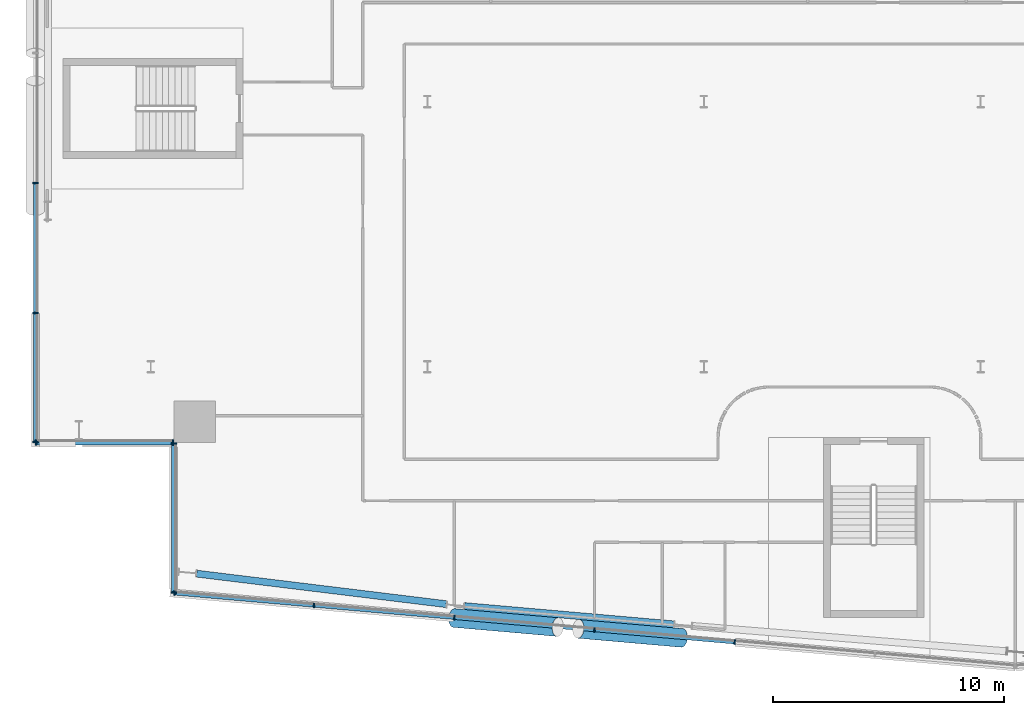
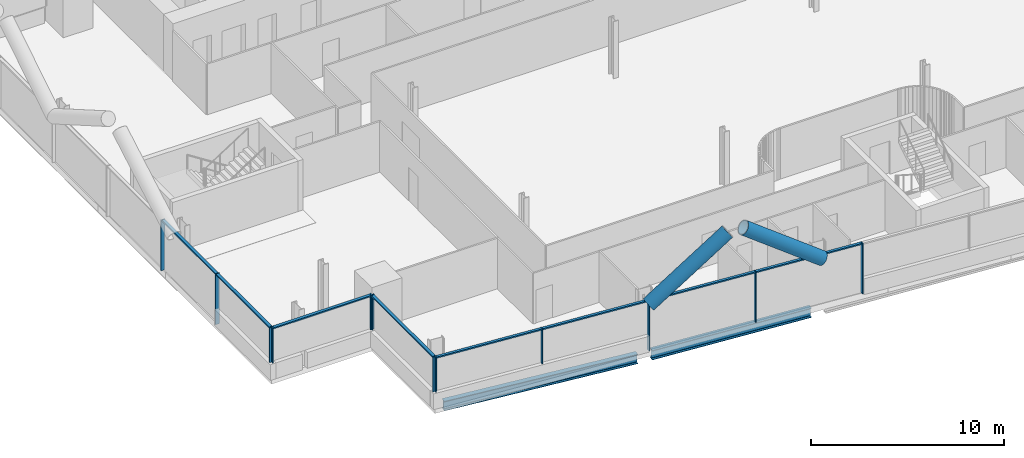
# One storey, part 5 of 30: 22 members, 2 beams, 4 elements without a shape of their own.
"""IFC4 building model written with IfcOpenShell, lengths in metres."""

from ifc_helpers import new_model, si_unit, direction, frame, origin, origin_2d, place, context, subcontext, project, spatial, rectangle, hollow_circle, i_section, extrude, material, material_profile, profile_set, type_object, element, aggregate, save


model = new_model("IFC4")

# Units and contexts
model_context = context("Model", 3, precision=1e-05, world=origin(), true_north=direction((0.0, 1.0)))
body_context = subcontext(model_context, "Body", "Model", "MODEL_VIEW")
ifc_project = project(units=[si_unit("LENGTHUNIT", "METRE"), si_unit("AREAUNIT", "SQUARE_METRE"), si_unit("VOLUMEUNIT", "CUBIC_METRE"), si_unit("PLANEANGLEUNIT", "RADIAN"), si_unit("MASSUNIT", "GRAM", prefix="KILO")], contexts=[model_context])

# Site, building, storey
site_placement = place(None, origin())
site = spatial("IfcSite", under=ifc_project, at=site_placement, CompositionType="ELEMENT")
building_placement = place(site_placement, origin())
building = spatial("IfcBuilding", under=site, at=building_placement, Name="Wharfspan Tower", CompositionType="ELEMENT")
storey_placement = place(building_placement, frame((0.0, 0.0, 100.300049)))
storey = spatial("IfcBuildingStorey", under=building, at=storey_placement, Name="L22", CompositionType="ELEMENT", Elevation=100.300049)

# Beams
ifc_material_1 = material(Name="Steel S355J2", Category="steel")
ifc_material_profile_1 = material_profile(ifc_material_1, i_section(OverallWidth=0.300049, OverallDepth=0.600098, WebThickness=0.015381, FlangeThickness=0.030029, FilletRadius=0.0271, at=origin_2d()))
ifc_profile_set_1 = profile_set([ifc_material_profile_1], Name="Steel S355J2")
beam_type = type_object("IfcBeamType", Name="Edge beam HEB 600", PredefinedType="SPANDREL", material=ifc_profile_set_1)
beam_1_placement = place(storey_placement, frame((13.990967, 2.520508, -0.699951), z_axis=(0.992611, -0.121342, 0.0), x_axis=(0.121342, 0.992611, 0.0)))
element("IfcBeam", 1, at=beam_1_placement, inside=storey, type_object=beam_type, Name="Edge beam S1 L22 PS1.1 to PS1.2", PredefinedType="SPANDREL", context=body_context, shape_type="SweptSolid", body=[
    extrude(i_section(OverallWidth=0.300049, OverallDepth=0.600098, WebThickness=0.015381, FlangeThickness=0.030029, FilletRadius=0.0271, at=origin_2d()), origin(), (0.0, 0.0, 1.0), 10.903076),
])
beam_2_placement = place(storey_placement, frame((25.615234, 1.113525, -0.699951), z_axis=(0.996195, -0.087151, 0.0), x_axis=(0.087151, 0.996195, 0.0)))
element("IfcBeam", 2, at=beam_2_placement, inside=storey, type_object=beam_type, Name="Edge beam S1 L22 PS1.2 to PS1.3", PredefinedType="SPANDREL", context=body_context, shape_type="SweptSolid", body=[
    extrude(i_section(OverallWidth=0.300049, OverallDepth=0.600098, WebThickness=0.015381, FlangeThickness=0.030029, FilletRadius=0.0271, at=origin_2d()), origin(), (0.0, 0.0, 1.0), 9.107178),
])

# Curtain wall, members
ifc_material_2 = material(Name="Aluminium 6063-T6", Category="aluminium")
curtain_wall_type_1 = type_object("IfcCurtainWallType", Name="CURTAIN WALL FACETED FRONT", PredefinedType="NOTDEFINED", material=ifc_material_2)
curtain_wall_1_placement = place(storey_placement, origin())
curtain_wall_1 = element("IfcCurtainWall", 3, at=curtain_wall_1_placement, inside=storey, type_object=curtain_wall_type_1, Name="Curtain wall S1", PredefinedType="NOTDEFINED")
ifc_material_profile_2 = material_profile(ifc_material_2, rectangle(XDim=0.199951, YDim=0.060059, at=origin_2d()))
ifc_profile_set_2 = profile_set([ifc_material_profile_2], Name="Aluminium 6063-T6")
member_type_1 = type_object("IfcMemberType", Name="MULLION FACETED FRONT 60x200", PredefinedType="MULLION", material=ifc_profile_set_2)
member_1_placement = place(storey_placement, frame((13.029785, 1.672363, 1.0), z_axis=(0.0, 0.0, 1.0), x_axis=(0.087156, 0.996198, 0.0)))
member_1 = element("IfcMember", 4, at=member_1_placement, type_object=member_type_1, Name="Curtain wall S1 mullion 1", PredefinedType="MULLION", context=body_context, shape_type="SweptSolid", body=[
    extrude(rectangle(XDim=0.199951, YDim=0.060059, at=origin_2d()), origin(), (0.0, 0.0, 1.0), 2.199951),
])
member_2_placement = place(storey_placement, frame((19.083252, 1.142822, 1.0), z_axis=(0.0, 0.0, 1.0), x_axis=(0.087156, 0.996198, 0.0)))
member_2 = element("IfcMember", 5, at=member_2_placement, type_object=member_type_1, Name="Curtain wall S1 mullion 2", PredefinedType="MULLION", context=body_context, shape_type="SweptSolid", body=[
    extrude(rectangle(XDim=0.199951, YDim=0.060059, at=origin_2d()), origin(), (0.0, 0.0, 1.0), 2.199951),
])
member_3_placement = place(storey_placement, frame((25.166748, 0.610596, 0.0), z_axis=(0.0, 0.0, 1.0), x_axis=(0.087156, 0.996198, 0.0)))
member_3 = element("IfcMember", 6, at=member_3_placement, type_object=member_type_1, Name="Curtain wall S1 mullion 3", PredefinedType="MULLION", context=body_context, shape_type="SweptSolid", body=[
    extrude(rectangle(XDim=0.199951, YDim=0.060059, at=origin_2d()), origin(), (0.0, 0.0, 1.0), 3.199951),
])
member_4_placement = place(storey_placement, frame((31.25, 0.078369, 0.0), z_axis=(0.0, 0.0, 1.0), x_axis=(0.087156, 0.996198, 0.0)))
member_4 = element("IfcMember", 7, at=member_4_placement, type_object=member_type_1, Name="Curtain wall S1 mullion 4", PredefinedType="MULLION", context=body_context, shape_type="SweptSolid", body=[
    extrude(rectangle(XDim=0.199951, YDim=0.060059, at=origin_2d()), origin(), (0.0, 0.0, 1.0), 3.199951),
])
member_5_placement = place(storey_placement, frame((37.333252, -0.453857, 0.0), z_axis=(0.0, 0.0, 1.0), x_axis=(0.087156, 0.996198, 0.0)))
member_5 = element("IfcMember", 8, at=member_5_placement, type_object=member_type_1, Name="Curtain wall S1 mullion 5", PredefinedType="MULLION", context=body_context, shape_type="SweptSolid", body=[
    extrude(rectangle(XDim=0.199951, YDim=0.060059, at=origin_2d()), origin(), (0.0, 0.0, 1.0), 3.199951),
])

curtain_wall_type_2 = type_object("IfcCurtainWallType", Name="CURTAIN WALL PROW AND END", PredefinedType="NOTDEFINED", material=ifc_material_2)
curtain_wall_2_placement = place(storey_placement, origin())
curtain_wall_2 = element("IfcCurtainWall", 9, at=curtain_wall_2_placement, inside=storey, type_object=curtain_wall_type_2, Name="Curtain wall W", PredefinedType="NOTDEFINED")
ifc_material_profile_3 = material_profile(ifc_material_2, rectangle(XDim=0.23999, YDim=0.060059, at=origin_2d()))
ifc_profile_set_3 = profile_set([ifc_material_profile_3], Name="Aluminium 6063-T6")
member_type_2 = type_object("IfcMemberType", Name="MULLION PROW AND END 60x240", PredefinedType="MULLION", material=ifc_profile_set_3)
member_6_placement = place(storey_placement, frame((7.0, 19.466553, 0.0), z_axis=(0.0, 0.0, 1.0), x_axis=(1.0, 0.0, 0.0)))
member_6 = element("IfcMember", 10, at=member_6_placement, type_object=member_type_2, Name="Curtain wall W mullion 5", PredefinedType="MULLION", context=body_context, shape_type="SweptSolid", body=[
    extrude(rectangle(XDim=0.23999, YDim=0.060059, at=origin_2d()), origin(), (0.0, 0.0, 1.0), 3.199951),
])
member_7_placement = place(storey_placement, frame((7.0, 13.833252, 0.0), z_axis=(0.0, 0.0, 1.0), x_axis=(1.0, 0.0, 0.0)))
member_7 = element("IfcMember", 11, at=member_7_placement, type_object=member_type_2, Name="Curtain wall W mullion 6", PredefinedType="MULLION", context=body_context, shape_type="SweptSolid", body=[
    extrude(rectangle(XDim=0.23999, YDim=0.060059, at=origin_2d()), origin(), (0.0, 0.0, 1.0), 3.199951),
])
member_8_placement = place(storey_placement, frame((7.0, 8.22998, 1.0), z_axis=(0.0, 0.0, 1.0), x_axis=(1.0, 0.0, 0.0)))
member_8 = element("IfcMember", 12, at=member_8_placement, type_object=member_type_2, Name="Curtain wall W mullion 7", PredefinedType="MULLION", context=body_context, shape_type="SweptSolid", body=[
    extrude(rectangle(XDim=0.23999, YDim=0.060059, at=origin_2d()), origin(), (0.0, 0.0, 1.0), 2.199951),
])

curtain_wall_3_placement = place(storey_placement, origin())
curtain_wall_3 = element("IfcCurtainWall", 13, at=curtain_wall_3_placement, inside=storey, type_object=curtain_wall_type_2, Name="Curtain wall NFW-H", PredefinedType="NOTDEFINED")
member_9_placement = place(storey_placement, frame((7.030029, 8.199951, 1.0), z_axis=(0.0, 0.0, 1.0), x_axis=(0.0, 1.0, 0.0)))
member_9 = element("IfcMember", 14, at=member_9_placement, type_object=member_type_2, Name="Curtain wall NFW-H mullion 1", PredefinedType="MULLION", context=body_context, shape_type="SweptSolid", body=[
    extrude(rectangle(XDim=0.23999, YDim=0.060059, at=origin_2d()), origin(), (0.0, 0.0, 1.0), 2.199951),
])
member_10_placement = place(storey_placement, frame((12.969971, 8.199951, 1.0), z_axis=(0.0, 0.0, 1.0), x_axis=(0.0, 1.0, 0.0)))
member_10 = element("IfcMember", 15, at=member_10_placement, type_object=member_type_2, Name="Curtain wall NFW-H mullion 2", PredefinedType="MULLION", context=body_context, shape_type="SweptSolid", body=[
    extrude(rectangle(XDim=0.23999, YDim=0.060059, at=origin_2d()), origin(), (0.0, 0.0, 1.0), 2.199951),
])

curtain_wall_4_placement = place(storey_placement, origin())
curtain_wall_4 = element("IfcCurtainWall", 16, at=curtain_wall_4_placement, inside=storey, type_object=curtain_wall_type_2, Name="Curtain wall NFW-V", PredefinedType="NOTDEFINED")
member_11_placement = place(storey_placement, frame((13.0, 8.169922, 1.0), z_axis=(0.0, 0.0, 1.0), x_axis=(1.0, 0.0, 0.0)))
member_11 = element("IfcMember", 17, at=member_11_placement, type_object=member_type_2, Name="Curtain wall NFW-V mullion 1", PredefinedType="MULLION", context=body_context, shape_type="SweptSolid", body=[
    extrude(rectangle(XDim=0.23999, YDim=0.060059, at=origin_2d()), origin(), (0.0, 0.0, 1.0), 2.199951),
])
member_12_placement = place(storey_placement, frame((13.0, 1.705078, 1.0), z_axis=(0.0, 0.0, 1.0), x_axis=(1.0, 0.0, 0.0)))
member_12 = element("IfcMember", 18, at=member_12_placement, type_object=member_type_2, Name="Curtain wall NFW-V mullion 2", PredefinedType="MULLION", context=body_context, shape_type="SweptSolid", body=[
    extrude(rectangle(XDim=0.23999, YDim=0.060059, at=origin_2d()), origin(), (0.0, 0.0, 1.0), 2.199951),
])

# Members
ifc_material_3 = material(Name="Steel S460NH", Category="steel")
ifc_material_profile_4 = material_profile(ifc_material_3, hollow_circle(Radius=0.406494, WallThickness=0.040039, at=origin_2d()))
ifc_profile_set_4 = profile_set([ifc_material_profile_4], Name="Steel S460NH")
member_type_3 = type_object("IfcMemberType", Name="Mega brace CHS 813x40", PredefinedType="BRACE", material=ifc_profile_set_4)
member_13_placement = place(storey_placement, frame((25.165283, 0.595703, 2.899902), z_axis=(0.80603, -0.070526, 0.587658), x_axis=(0.087167, 0.996192, -3e-06)))
element("IfcMember", 19, at=member_13_placement, inside=storey, type_object=member_type_3, Name="Mega brace S1 L23 part 1", PredefinedType="BRACE", context=body_context, shape_type="SweptSolid", body=[
    extrude(hollow_circle(Radius=0.406494, WallThickness=0.040039, at=origin_2d()), origin(), (0.0, 0.0, 1.0), 5.569824),
])
member_14_placement = place(storey_placement, frame((35.040771, -0.268311, 2.899902), z_axis=(-0.806015, 0.070528, 0.587679), x_axis=(-0.087171, -0.996191, -3e-06)))
element("IfcMember", 20, at=member_14_placement, inside=storey, type_object=member_type_3, Name="Mega brace S1 L23 part 3", PredefinedType="BRACE", context=body_context, shape_type="SweptSolid", body=[
    extrude(hollow_circle(Radius=0.406494, WallThickness=0.040039, at=origin_2d()), origin(), (0.0, 0.0, 1.0), 5.56958),
])

# Member
ifc_material_profile_5 = material_profile(ifc_material_2, rectangle(XDim=0.159912, YDim=0.080078, at=origin_2d()))
ifc_profile_set_5 = profile_set([ifc_material_profile_5], Name="Aluminium 6063-T6")
member_type_4 = type_object("IfcMemberType", Name="TRANSOM FACETED FRONT 80x160", PredefinedType="USERDEFINED", material=ifc_profile_set_5)
member_15_placement = place(storey_placement, frame((13.059814, 1.669922, 3.159912), z_axis=(0.996194, -0.087162, 0.0), x_axis=(0.087162, 0.996194, 0.0)))
member_15 = element("IfcMember", 21, at=member_15_placement, type_object=member_type_4, Name="Curtain wall S1 transom 1", ObjectType="TRANSOM", PredefinedType="USERDEFINED", context=body_context, shape_type="SweptSolid", body=[
    extrude(rectangle(XDim=0.159912, YDim=0.080078, at=origin_2d()), origin(), (0.0, 0.0, 1.0), 6.016602),
])

member_16_placement = place(storey_placement, frame((19.113281, 1.140137, 3.159912), z_axis=(0.996197, -0.087135, 0.0), x_axis=(0.087135, 0.996197, 0.0)))
member_16 = element("IfcMember", 22, at=member_16_placement, type_object=member_type_4, Name="Curtain wall S1 transom 2", ObjectType="TRANSOM", PredefinedType="USERDEFINED", context=body_context, shape_type="SweptSolid", body=[
    extrude(rectangle(XDim=0.159912, YDim=0.080078, at=origin_2d()), origin(), (0.0, 0.0, 1.0), 6.046387),
])

member_17_placement = place(storey_placement, frame((25.196533, 0.60791, 3.159912), z_axis=(0.996197, -0.087131, 0.0), x_axis=(0.087131, 0.996197, 0.0)))
member_17 = element("IfcMember", 23, at=member_17_placement, type_object=member_type_4, Name="Curtain wall S1 transom 3", ObjectType="TRANSOM", PredefinedType="USERDEFINED", context=body_context, shape_type="SweptSolid", body=[
    extrude(rectangle(XDim=0.159912, YDim=0.080078, at=origin_2d()), origin(), (0.0, 0.0, 1.0), 6.046631),
])

member_18_placement = place(storey_placement, frame((31.279785, 0.075684, 3.159912), z_axis=(0.996197, -0.087131, 0.0), x_axis=(0.087131, 0.996197, 0.0)))
member_18 = element("IfcMember", 24, at=member_18_placement, type_object=member_type_4, Name="Curtain wall S1 transom 4", ObjectType="TRANSOM", PredefinedType="USERDEFINED", context=body_context, shape_type="SweptSolid", body=[
    extrude(rectangle(XDim=0.159912, YDim=0.080078, at=origin_2d()), origin(), (0.0, 0.0, 1.0), 6.046631),
])

aggregate(curtain_wall_1, [member_1, member_2, member_3, member_4, member_5, member_15, member_16, member_17, member_18])

ifc_material_profile_6 = material_profile(ifc_material_2, rectangle(XDim=0.179932, YDim=0.080078, at=origin_2d()))
ifc_profile_set_6 = profile_set([ifc_material_profile_6], Name="Aluminium 6063-T6")
member_type_5 = type_object("IfcMemberType", Name="TRANSOM PROW AND END 80x180", PredefinedType="USERDEFINED", material=ifc_profile_set_6)
member_19_placement = place(storey_placement, frame((7.0, 19.436768, 3.159912), z_axis=(0.0, -1.0, 0.0), x_axis=(1.0, 0.0, 0.0)))
member_19 = element("IfcMember", 25, at=member_19_placement, type_object=member_type_5, Name="Curtain wall W transom 5", ObjectType="TRANSOM", PredefinedType="USERDEFINED", context=body_context, shape_type="SweptSolid", body=[
    extrude(rectangle(XDim=0.179932, YDim=0.080078, at=origin_2d()), origin(), (0.0, 0.0, 1.0), 5.573486),
])

member_20_placement = place(storey_placement, frame((7.0, 13.803223, 3.159912), z_axis=(0.0, -1.0, 0.0), x_axis=(1.0, 0.0, 0.0)))
member_20 = element("IfcMember", 26, at=member_20_placement, type_object=member_type_5, Name="Curtain wall W transom 6", ObjectType="TRANSOM", PredefinedType="USERDEFINED", context=body_context, shape_type="SweptSolid", body=[
    extrude(rectangle(XDim=0.179932, YDim=0.080078, at=origin_2d()), origin(), (0.0, 0.0, 1.0), 5.543213),
])

aggregate(curtain_wall_2, [member_6, member_7, member_8, member_19, member_20])

member_21_placement = place(storey_placement, frame((7.060059, 8.199951, 3.159912), z_axis=(1.0, 0.0, 0.0), x_axis=(0.0, 1.0, 0.0)))
member_21 = element("IfcMember", 27, at=member_21_placement, type_object=member_type_5, Name="Curtain wall NFW-H transom 1", ObjectType="TRANSOM", PredefinedType="USERDEFINED", context=body_context, shape_type="SweptSolid", body=[
    extrude(rectangle(XDim=0.179932, YDim=0.080078, at=origin_2d()), origin(), (0.0, 0.0, 1.0), 5.879883),
])

aggregate(curtain_wall_3, [member_9, member_10, member_21])

member_22_placement = place(storey_placement, frame((13.0, 8.139893, 3.159912), z_axis=(0.0, -1.0, 0.0), x_axis=(1.0, 0.0, 0.0)))
member_22 = element("IfcMember", 28, at=member_22_placement, type_object=member_type_5, Name="Curtain wall NFW-V transom 1", ObjectType="TRANSOM", PredefinedType="USERDEFINED", context=body_context, shape_type="SweptSolid", body=[
    extrude(rectangle(XDim=0.179932, YDim=0.080078, at=origin_2d()), origin(), (0.0, 0.0, 1.0), 6.404785),
])

aggregate(curtain_wall_4, [member_11, member_12, member_22])

save(model, "model.ifc")
